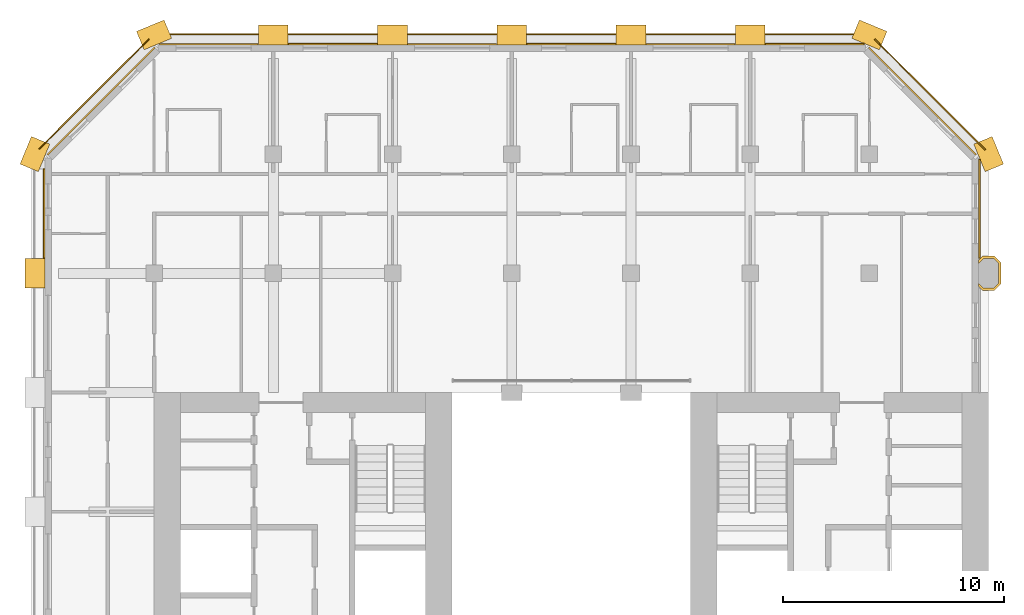
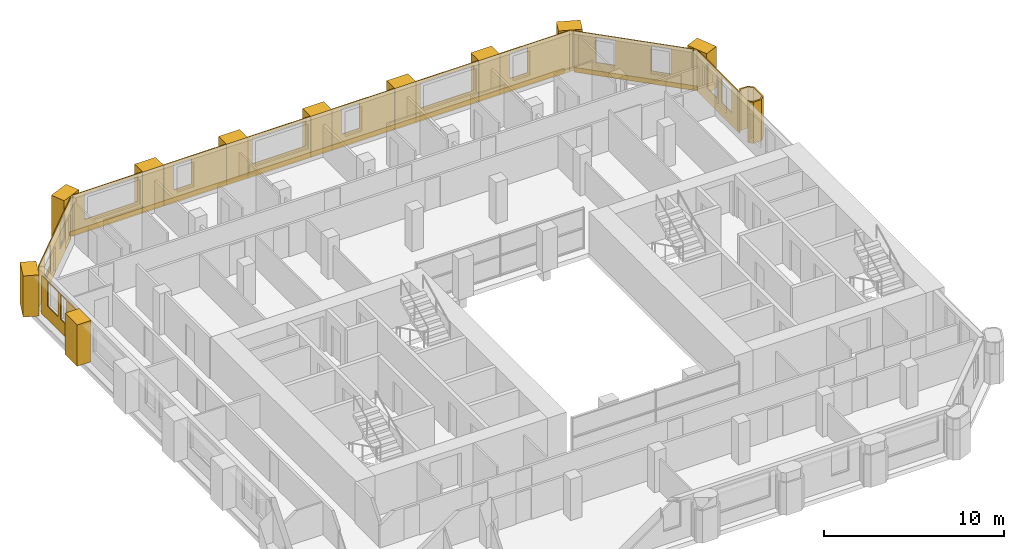
# One storey, part 14 of 14: 24 coverings.
"""IFC4 building model written with IfcOpenShell, lengths in metres."""

from ifc_helpers import new_model, si_unit, direction, frame, frame_2d, origin, place, context, subcontext, project, spatial, polyline, rectangle, outline, extrude, material, layer, layer_set, type_object, element, save


model = new_model("IFC4")

# Units and contexts
model_context = context("Model", 3, precision=1e-05, world=origin(), true_north=direction((0.0, 1.0)))
body_context = subcontext(model_context, "Body", "Model", "MODEL_VIEW")
ifc_project = project(units=[si_unit("LENGTHUNIT", "METRE"), si_unit("AREAUNIT", "SQUARE_METRE"), si_unit("VOLUMEUNIT", "CUBIC_METRE"), si_unit("PLANEANGLEUNIT", "RADIAN"), si_unit("MASSUNIT", "GRAM", prefix="KILO")], contexts=[model_context])

# Site, building, storey
site_placement = place(None, origin())
site = spatial("IfcSite", under=ifc_project, at=site_placement, CompositionType="ELEMENT")
building_placement = place(site_placement, origin())
building = spatial("IfcBuilding", under=site, at=building_placement, Name="Tabaq Tower and Sports Hall", CompositionType="ELEMENT")
storey_placement = place(building_placement, frame((0.0, 0.0, 230.199951171875)))
storey = spatial("IfcBuildingStorey", under=building, at=storey_placement, Name="L58", CompositionType="ELEMENT", Elevation=230.199951171875)

# Coverings
ifc_material_1 = material(Name="Precast concrete C60/75", Category="concrete")
ifc_layer_1 = layer(ifc_material_1, 0.10009765625)
ifc_layer_set_1 = layer_set([ifc_layer_1], Name="Column cladding 100")
covering_type_1 = type_object("IfcCoveringType", Name="Column cladding 100", PredefinedType="CLADDING", material=ifc_layer_set_1)
covering_1_placement = place(storey_placement, origin())
element("IfcCovering", 1, at=covering_1_placement, inside=storey, type_object=covering_type_1, Name="Column cladding L58 PC-9H-H3", PredefinedType="CLADDING", context=body_context, shape_type="SweptSolid", body=[
    extrude(outline(polyline([(42.93359375, 37.025390625), (42.750244140625, 37.208740234375), (42.750244140625, 37.349365234375), (42.974853515625, 37.124755859375), (43.425048828125, 37.124755859375), (43.650390625, 37.349853515625), (43.650390625, 38.250244140625), (43.425048828125, 38.475341796875), (42.974853515625, 38.475341796875), (42.750244140625, 38.250732421875), (42.750244140625, 38.391357421875), (42.93359375, 38.57470703125), (43.46630859375, 38.57470703125), (43.749755859375, 38.291259765625), (43.749755859375, 37.30859375), (43.46630859375, 37.025390625), (42.93359375, 37.025390625)])), origin(), (0.0, 0.0, 1.0), 2.800048828125),
])
ifc_material_2 = material(Name="Precast concrete C60/75", Category="concrete")
ifc_layer_2 = layer(ifc_material_2, 0.06005859375)
ifc_layer_set_2 = layer_set([ifc_layer_2], Name="Edge beam cladding 60")
covering_type_2 = type_object("IfcCoveringType", Name="Edge beam cladding 60", PredefinedType="CLADDING", material=ifc_layer_set_2)
covering_2_placement = place(storey_placement, frame((43.04443359375, 43.39794921875, -0.300048828125), z_axis=(0.0, 0.0, 1.0), x_axis=(-0.707106781187, 0.707106781187, 0.0)))
element("IfcCovering", 2, at=covering_2_placement, inside=storey, type_object=covering_type_2, Name="Edge beam cladding L58 1", PredefinedType="CLADDING", context=body_context, shape_type="SweptSolid", body=[
    extrude(rectangle(XDim=7.08837890625, YDim=0.06005859375, at=frame_2d((3.544189453125, 0.0))), origin(), (0.0, 0.0, 1.0), 0.300048828125),
])
covering_3_placement = place(storey_placement, frame((37.50146484375, 48.6298828125, -0.300048828125), z_axis=(0.0, 0.0, 1.0), x_axis=(-1.0, 0.0, 0.0)))
element("IfcCovering", 3, at=covering_3_placement, inside=storey, type_object=covering_type_2, Name="Edge beam cladding L58 2", PredefinedType="CLADDING", context=body_context, shape_type="SweptSolid", body=[
    extrude(rectangle(XDim=31.802978515625, YDim=0.06005859375, at=frame_2d((15.9013671875, 0.0))), origin(), (0.0, 0.0, 1.0), 0.300048828125),
])
covering_4_placement = place(storey_placement, frame((5.167724609375, 48.41015625, -0.300048828125), z_axis=(0.0, 0.0, 1.0), x_axis=(-0.707106781187, -0.707106781187, 0.0)))
element("IfcCovering", 4, at=covering_4_placement, inside=storey, type_object=covering_type_2, Name="Edge beam cladding L58 3", PredefinedType="CLADDING", context=body_context, shape_type="SweptSolid", body=[
    extrude(rectangle(XDim=7.03955078125, YDim=0.06005859375, at=frame_2d((3.519775390625, 0.0))), origin(), (0.0, 0.0, 1.0), 0.300048828125),
])
ifc_material_3 = material(Name="White precast concrete C60/75", Category="concrete")
covering_type_3 = type_object("IfcCoveringType", Name="Pier cladding hung 1350x900", PredefinedType="CLADDING", material=ifc_material_3)
for number, where, z_axis, x_axis, name in (
    (5, (0.0, 38.47509765625, 0.0), (0.0, 0.0, 1.0), (0.0, -1.0, 0.0), "Hung pier cladding 0/7"),
    (6, (0.25830078125, 43.82373046875, 0.0), (0.0, 0.0, 1.0), (-0.382649923473, -0.923893411637, 0.0), "Hung pier cladding 0/8"),
    (7, (6.023681640625, 48.8583984375, 0.0), (0.0, 0.0, 1.0), (-0.923893411637, -0.382649923473, 0.0), "Hung pier cladding 1/9"),
    (8, (11.47509765625, 48.60009765625, 0.0), (0.0, 0.0, 1.0), (-1.0, 0.0, 0.0), "Hung pier cladding 2/9"),
    (9, (16.875, 48.60009765625, 0.0), (0.0, 0.0, 1.0), (-1.0, 0.0, 0.0), "Hung pier cladding 3/9"),
):
    element("IfcCovering", number, at=place(storey_placement, frame(where, z_axis=z_axis, x_axis=x_axis)), inside=storey, type_object=covering_type_3, Name=name, PredefinedType="CLADDING", context=body_context, shape_type="SweptSolid", body=[
        extrude(rectangle(XDim=1.35009765625, YDim=0.89990234375, at=frame_2d((0.675048828125, 0.0))), origin(), (0.0, 0.0, 1.0), 2.800048828125),
    ])
covering_5_placement = place(storey_placement, frame((22.27490234375, 48.60009765625, 0.0), z_axis=(0.0, 0.0, 1.0), x_axis=(-1.0, 0.0, 0.0)))
element("IfcCovering", 10, at=covering_5_placement, inside=storey, type_object=covering_type_3, Name="Hung pier cladding 4/9", PredefinedType="CLADDING", context=body_context, shape_type="SweptSolid", body=[
    extrude(rectangle(XDim=1.349853515625, YDim=0.89990234375, at=frame_2d((0.6748046875, 0.0))), origin(), (0.0, 0.0, 1.0), 2.800048828125),
])
covering_6_placement = place(storey_placement, frame((27.675048828125, 48.60009765625, 0.0), z_axis=(0.0, 0.0, 1.0), x_axis=(-1.0, 0.0, 0.0)))
element("IfcCovering", 11, at=covering_6_placement, inside=storey, type_object=covering_type_3, Name="Hung pier cladding 5/9", PredefinedType="CLADDING", context=body_context, shape_type="SweptSolid", body=[
    extrude(rectangle(XDim=1.35009765625, YDim=0.89990234375, at=frame_2d((0.675048828125, 0.0))), origin(), (0.0, 0.0, 1.0), 2.800048828125),
])
covering_7_placement = place(storey_placement, frame((33.074951171875, 48.60009765625, 0.0), z_axis=(0.0, 0.0, 1.0), x_axis=(-1.0, 0.0, 0.0)))
element("IfcCovering", 12, at=covering_7_placement, inside=storey, type_object=covering_type_3, Name="Hung pier cladding 6/9", PredefinedType="CLADDING", context=body_context, shape_type="SweptSolid", body=[
    extrude(rectangle(XDim=1.349853515625, YDim=0.89990234375, at=frame_2d((0.6748046875, 0.0))), origin(), (0.0, 0.0, 1.0), 2.800048828125),
])
for number, where, z_axis, x_axis, name in (
    (13, (38.423583984375, 48.341796875, 0.0), (0.0, 0.0, 1.0), (-0.923893411637, 0.382649923473, 0.0), "Hung pier cladding 7/9"),
    (14, (43.458251953125, 42.576416015625, 0.0), (0.0, 0.0, 1.0), (-0.382649923473, 0.923893411637, 0.0), "Hung pier cladding 8/8"),
):
    element("IfcCovering", number, at=place(storey_placement, frame(where, z_axis=z_axis, x_axis=x_axis)), inside=storey, type_object=covering_type_3, Name=name, PredefinedType="CLADDING", context=body_context, shape_type="SweptSolid", body=[
        extrude(rectangle(XDim=1.35009765625, YDim=0.89990234375, at=frame_2d((0.675048828125, 0.0))), origin(), (0.0, 0.0, 1.0), 2.800048828125),
    ])
ifc_material_4 = material(Name="Precast concrete C60/75", Category="concrete")
ifc_layer_3 = layer(ifc_material_4, 0.06005859375)
ifc_layer_set_3 = layer_set([ifc_layer_3], Name="White precast cladding panel 60 C60/75")
covering_type_4 = type_object("IfcCoveringType", Name="White precast cladding panel 60 C60/75", PredefinedType="CLADDING", material=ifc_layer_set_3)
covering_8_placement = place(storey_placement, frame((42.780029296875, 38.485107421875, 0.0), z_axis=(0.0, 0.0, 1.0), x_axis=(0.0, 1.0, 0.0)))
element("IfcCovering", 15, at=covering_8_placement, inside=storey, type_object=covering_type_4, Name="White precast cladding panel L58 wall02-1 2", PredefinedType="CLADDING", context=body_context, shape_type="SweptSolid", body=[
    extrude(outline(polyline([(0.0, 0.0), (4.4716796875, 0.0), (4.4716796875, 2.800048828125), (0.0, 2.800048828125), (0.0, 0.0)]), holes=[polyline([(0.655029296875, 2.610107421875), (1.77490234375, 2.610107421875), (1.77490234375, 0.89013671875), (0.655029296875, 0.89013671875), (0.655029296875, 2.610107421875)]), polyline([(2.2548828125, 2.610107421875), (3.375, 2.610107421875), (3.375, 0.89013671875), (2.2548828125, 0.89013671875), (2.2548828125, 2.610107421875)])]), frame((0.0, 0.030029296875, 0.0), z_axis=(0.0, -1.0, 0.0), x_axis=(1.0, 0.0, 0.0)), (0.0, 0.0, 1.0), 0.06005859375),
])
covering_9_placement = place(storey_placement, frame((42.628173828125, 43.177734375, 0.0), z_axis=(0.0, 0.0, 1.0), x_axis=(-0.707088985397, 0.707124576528, 0.0)))
element("IfcCovering", 16, at=covering_9_placement, inside=storey, type_object=covering_type_4, Name="White precast cladding panel L58 wall03", PredefinedType="CLADDING", context=body_context, shape_type="SweptSolid", body=[
    extrude(outline(polyline([(0.0, 0.0), (6.859619140625, 0.0), (6.859619140625, 2.800048828125), (0.0, 2.800048828125), (0.0, 0.0)]), holes=[polyline([(1.269775390625, 2.610107421875), (2.389892578125, 2.610107421875), (2.389892578125, 0.89013671875), (1.269775390625, 0.89013671875), (1.269775390625, 2.610107421875)]), polyline([(4.4697265625, 2.610107421875), (5.58984375, 2.610107421875), (5.58984375, 0.89013671875), (4.4697265625, 0.89013671875), (4.4697265625, 2.610107421875)])]), frame((0.0, 0.030029296875, 0.0), z_axis=(0.0, -1.0, 0.0), x_axis=(1.0, 0.0, 0.0)), (0.0, 0.0, 1.0), 0.06005859375),
])
covering_10_placement = place(storey_placement, frame((37.556884765625, 48.179931640625, 0.0), z_axis=(0.0, 0.0, 1.0), x_axis=(-1.0, 0.0, 0.0)))
element("IfcCovering", 17, at=covering_10_placement, inside=storey, type_object=covering_type_4, Name="White precast cladding panel L58 wall04", PredefinedType="CLADDING", context=body_context, shape_type="SweptSolid", body=[
    extrude(outline(polyline([(0.0, 0.0), (4.471923828125, 0.0), (4.471923828125, 2.800048828125), (0.0, 2.800048828125), (0.0, 0.0)]), holes=[polyline([(2.69677734375, 0.89013671875), (2.69677734375, 2.610107421875), (3.81689453125, 2.610107421875), (3.81689453125, 0.89013671875), (2.69677734375, 0.89013671875)])]), frame((0.0, 0.030029296875, 0.0), z_axis=(0.0, -1.0, 0.0), x_axis=(1.0, 0.0, 0.0)), (0.0, 0.0, 1.0), 0.06005859375),
])
covering_11_placement = place(storey_placement, frame((31.715087890625, 48.179931640625, 0.0), z_axis=(0.0, 0.0, 1.0), x_axis=(-1.0, 0.0, 0.0)))
element("IfcCovering", 18, at=covering_11_placement, inside=storey, type_object=covering_type_4, Name="White precast cladding panel L58 wall04 2", PredefinedType="CLADDING", context=body_context, shape_type="SweptSolid", body=[
    extrude(outline(polyline([(0.0, 0.0), (4.030029296875, 0.0), (4.030029296875, 2.800048828125), (0.0, 2.800048828125), (0.0, 0.0)]), holes=[polyline([(0.304931640625, 0.89013671875), (0.304931640625, 2.610107421875), (3.72509765625, 2.610107421875), (3.72509765625, 0.89013671875), (0.304931640625, 0.89013671875)])]), frame((0.0, 0.030029296875, 0.0), z_axis=(0.0, -1.0, 0.0), x_axis=(1.0, 0.0, 0.0)), (0.0, 0.0, 1.0), 0.06005859375),
])
covering_12_placement = place(storey_placement, frame((26.31494140625, 48.179931640625, 0.0), z_axis=(0.0, 0.0, 1.0), x_axis=(-1.0, 0.0, 0.0)))
element("IfcCovering", 19, at=covering_12_placement, inside=storey, type_object=covering_type_4, Name="White precast cladding panel L58 wall04 3", PredefinedType="CLADDING", context=body_context, shape_type="SweptSolid", body=[
    extrude(outline(polyline([(0.0, 0.0), (4.030029296875, 0.0), (4.030029296875, 2.800048828125), (0.0, 2.800048828125), (0.0, 0.0)]), holes=[polyline([(2.2548828125, 0.89013671875), (2.2548828125, 2.610107421875), (3.375, 2.610107421875), (3.375, 0.89013671875), (2.2548828125, 0.89013671875)])]), frame((0.0, 0.030029296875, 0.0), z_axis=(0.0, -1.0, 0.0), x_axis=(1.0, 0.0, 0.0)), (0.0, 0.0, 1.0), 0.06005859375),
])
covering_13_placement = place(storey_placement, frame((20.9150390625, 48.179931640625, 0.0), z_axis=(0.0, 0.0, 1.0), x_axis=(-1.0, 0.0, 0.0)))
element("IfcCovering", 20, at=covering_13_placement, inside=storey, type_object=covering_type_4, Name="White precast cladding panel L58 wall04 4", PredefinedType="CLADDING", context=body_context, shape_type="SweptSolid", body=[
    extrude(outline(polyline([(0.0, 0.0), (4.030029296875, 0.0), (4.030029296875, 2.800048828125), (0.0, 2.800048828125), (0.0, 0.0)]), holes=[polyline([(0.304931640625, 0.89013671875), (0.304931640625, 2.610107421875), (3.72509765625, 2.610107421875), (3.72509765625, 0.89013671875), (0.304931640625, 0.89013671875)])]), frame((0.0, 0.030029296875, 0.0), z_axis=(0.0, -1.0, 0.0), x_axis=(1.0, 0.0, 0.0)), (0.0, 0.0, 1.0), 0.06005859375),
])
covering_14_placement = place(storey_placement, frame((15.514892578125, 48.179931640625, 0.0), z_axis=(0.0, 0.0, 1.0), x_axis=(-1.0, 0.0, 0.0)))
element("IfcCovering", 21, at=covering_14_placement, inside=storey, type_object=covering_type_4, Name="White precast cladding panel L58 wall04 5", PredefinedType="CLADDING", context=body_context, shape_type="SweptSolid", body=[
    extrude(outline(polyline([(0.0, 0.0), (4.02978515625, 0.0), (4.02978515625, 2.800048828125), (0.0, 2.800048828125), (0.0, 0.0)]), holes=[polyline([(2.2548828125, 0.89013671875), (2.2548828125, 2.610107421875), (3.375, 2.610107421875), (3.375, 0.89013671875), (2.2548828125, 0.89013671875)])]), frame((0.0, 0.030029296875, 0.0), z_axis=(0.0, -1.0, 0.0), x_axis=(1.0, 0.0, 0.0)), (0.0, 0.0, 1.0), 0.06005859375),
])
covering_15_placement = place(storey_placement, frame((10.114990234375, 48.179931640625, 0.0), z_axis=(0.0, 0.0, 1.0), x_axis=(-1.0, 0.0, 0.0)))
element("IfcCovering", 22, at=covering_15_placement, inside=storey, type_object=covering_type_4, Name="White precast cladding panel L58 wall04 6", PredefinedType="CLADDING", context=body_context, shape_type="SweptSolid", body=[
    extrude(outline(polyline([(0.0, 0.0), (4.471923828125, 0.0), (4.471923828125, 2.800048828125), (0.0, 2.800048828125), (0.0, 0.0)]), holes=[polyline([(0.304931640625, 0.89013671875), (0.304931640625, 2.610107421875), (3.72509765625, 2.610107421875), (3.72509765625, 0.89013671875), (0.304931640625, 0.89013671875)])]), frame((0.0, 0.030029296875, 0.0), z_axis=(0.0, -1.0, 0.0), x_axis=(1.0, 0.0, 0.0)), (0.0, 0.0, 1.0), 0.06005859375),
])
covering_16_placement = place(storey_placement, frame((5.42236328125, 48.0283203125, 0.0), z_axis=(0.0, 0.0, 1.0), x_axis=(-0.707106781187, -0.707106781187, 0.0)))
element("IfcCovering", 23, at=covering_16_placement, inside=storey, type_object=covering_type_4, Name="White precast cladding panel L58 wall05", PredefinedType="CLADDING", context=body_context, shape_type="SweptSolid", body=[
    extrude(outline(polyline([(0.0, 0.0), (6.85986328125, 0.0), (6.85986328125, 2.800048828125), (0.0, 2.800048828125), (0.0, 0.0)]), holes=[polyline([(1.269775390625, 2.610107421875), (2.389892578125, 2.610107421875), (2.389892578125, 0.89013671875), (1.269775390625, 0.89013671875), (1.269775390625, 2.610107421875)]), polyline([(4.4697265625, 2.610107421875), (5.58984375, 2.610107421875), (5.58984375, 0.89013671875), (4.4697265625, 0.89013671875), (4.4697265625, 2.610107421875)])]), frame((0.0, 0.030029296875, 0.0), z_axis=(0.0, -1.0, 0.0), x_axis=(1.0, 0.0, 0.0)), (0.0, 0.0, 1.0), 0.06005859375),
])
covering_17_placement = place(storey_placement, frame((0.419921875, 42.534912109375, 0.0), z_axis=(0.0, 0.0, 1.0), x_axis=(0.0, -1.0, 0.0)))
element("IfcCovering", 24, at=covering_17_placement, inside=storey, type_object=covering_type_4, Name="White precast cladding panel L58 wall06", PredefinedType="CLADDING", context=body_context, shape_type="SweptSolid", body=[
    extrude(outline(polyline([(0.0, 0.0), (4.0498046875, 0.0), (4.0498046875, 2.590087890625), (0.0, 2.590087890625), (0.0, 0.0)]), holes=[polyline([(0.675048828125, 0.89013671875), (0.675048828125, 2.56005859375), (1.794921875, 2.56005859375), (1.794921875, 0.89013671875), (0.675048828125, 0.89013671875)]), polyline([(2.10009765625, 0.89013671875), (2.10009765625, 2.56005859375), (2.77001953125, 2.56005859375), (2.77001953125, 0.89013671875), (2.10009765625, 0.89013671875)])]), frame((0.0, 0.030029296875, 0.0), z_axis=(0.0, -1.0, 0.0), x_axis=(1.0, 0.0, 0.0)), (0.0, 0.0, 1.0), 0.06005859375),
])

save(model, "model.ifc")
